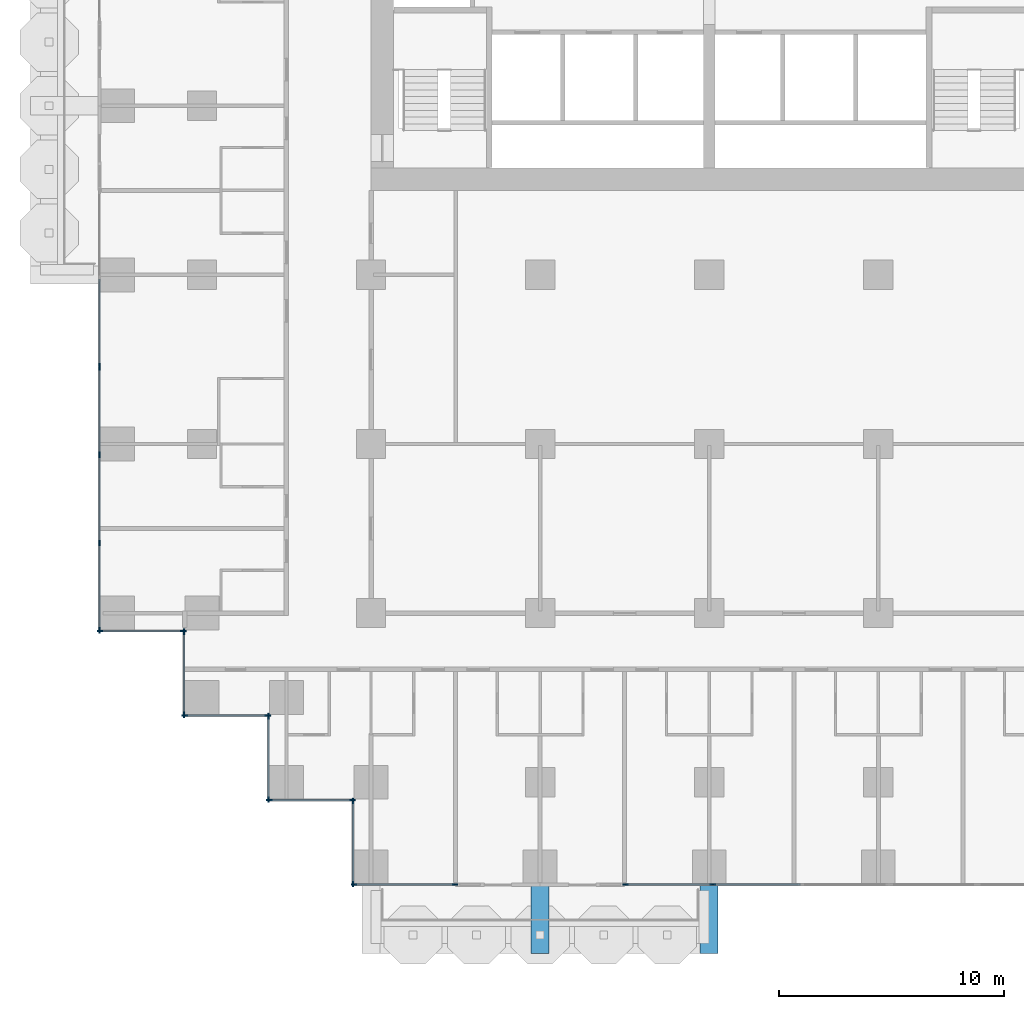
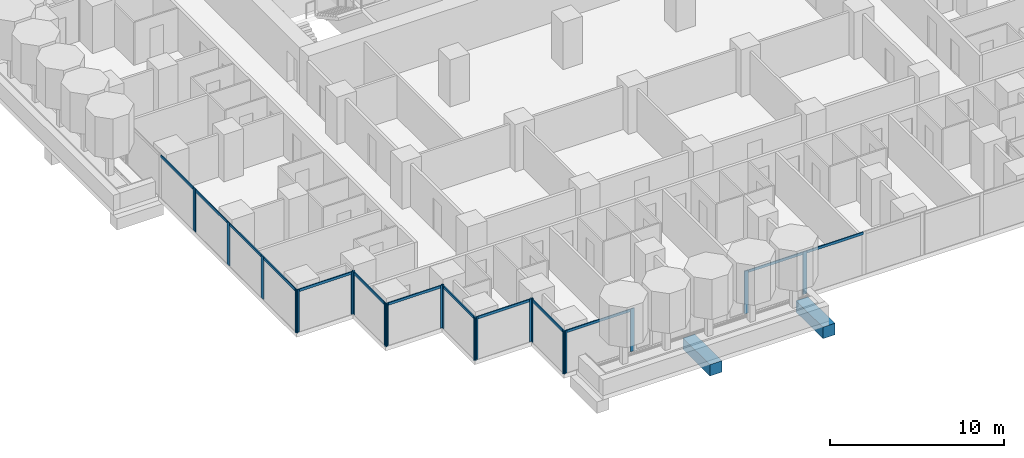
# One storey, part 2 of 19: 34 members, 2 beams, 10 elements without a shape of their own.
"""IFC4 building model written with IfcOpenShell, lengths in metres."""

from ifc_helpers import new_model, si_unit, direction, frame, origin, origin_2d, place, context, subcontext, project, spatial, rectangle, extrude, material, material_profile, profile_set, type_object, element, aggregate, save


model = new_model("IFC4")

# Units and contexts
model_context = context("Model", 3, precision=1e-05, world=origin(), true_north=direction((0.0, 1.0)))
body_context = subcontext(model_context, "Body", "Model", "MODEL_VIEW")
ifc_project = project(units=[si_unit("LENGTHUNIT", "METRE"), si_unit("AREAUNIT", "SQUARE_METRE"), si_unit("VOLUMEUNIT", "CUBIC_METRE"), si_unit("PLANEANGLEUNIT", "RADIAN"), si_unit("MASSUNIT", "GRAM", prefix="KILO")], contexts=[model_context])

# Site, building, storey
site_placement = place(None, origin())
site = spatial("IfcSite", under=ifc_project, at=site_placement, CompositionType="ELEMENT")
building_placement = place(site_placement, origin())
building = spatial("IfcBuilding", under=site, at=building_placement, Name="Pilkhan Gate Tower", CompositionType="ELEMENT")
storey_placement = place(building_placement, frame((0.0, 0.0, 89.0)))
storey = spatial("IfcBuildingStorey", under=building, at=storey_placement, Name="L21", CompositionType="ELEMENT", Elevation=89.0)

# Beams
ifc_material_1 = material(Name="Concrete C50/60", Category="concrete")
ifc_material_profile_1 = material_profile(ifc_material_1, rectangle(XDim=0.800048828125, YDim=0.800048828125, at=origin_2d()), Name="RC 800x800")
ifc_profile_set_1 = profile_set([ifc_material_profile_1], Name="Concrete C50/60")
beam_type = type_object("IfcBeamType", Name="Cantilever beam CB2 RC 800x800 C50/60", PredefinedType="BEAM", material=ifc_profile_set_1)
for number, where, z_axis, x_axis, name in (
    (1, (67.5, 40.5, -0.699951171875), (0.0, -1.0, 0.0), (1.0, 0.0, 0.0), "Balcony beam S.2 L21"),
    (2, (75.0, 40.5, -0.699951171875), (0.0, -1.0, 0.0), (1.0, 0.0, 0.0), "Balcony beam S.3 L21"),
):
    element("IfcBeam", number, at=place(storey_placement, frame(where, z_axis=z_axis, x_axis=x_axis)), inside=storey, type_object=beam_type, Name=name, PredefinedType="BEAM", context=body_context, shape_type="SweptSolid", body=[
        extrude(rectangle(XDim=0.800048828125, YDim=0.800048828125, at=origin_2d()), origin(), (0.0, 0.0, 1.0), 3.10009765625),
    ])

# Curtain wall, members
ifc_material_2 = material(Name="Pale anodised aluminium, clear low-iron double glazing", Category="aluminium")
curtain_wall_type = type_object("IfcCurtainWallType", Name="Hotel unitised curtain wall CW-H", PredefinedType="USERDEFINED", material=ifc_material_2)
curtain_wall_1_placement = place(storey_placement, origin())
curtain_wall_1 = element("IfcCurtainWall", 3, at=curtain_wall_1_placement, inside=storey, type_object=curtain_wall_type, Name="Hotel unitised curtain wall CW-H L21 W", ObjectType="UNITISED CURTAIN WALL", PredefinedType="USERDEFINED")
ifc_material_3 = material(Name="Pale anodised aluminium", Category="aluminium")
ifc_material_profile_2 = material_profile(ifc_material_3, rectangle(XDim=0.06494140625, YDim=0.25, at=origin_2d()), Name="Mullion 250x65")
ifc_profile_set_2 = profile_set([ifc_material_profile_2], Name="Pale anodised aluminium")
member_type_1 = type_object("IfcMemberType", Name="Mullion CW-H 250x65", PredefinedType="MULLION", material=ifc_profile_set_2)
member_1_placement = place(storey_placement, frame((47.955078125, 51.737548828125, 0.0), z_axis=(0.0, 0.0, 1.0), x_axis=(-1.0, 0.0, 0.0)))
member_1 = element("IfcMember", 4, at=member_1_placement, type_object=member_type_1, Name="CW-H mullion 1", PredefinedType="MULLION", context=body_context, shape_type="SweptSolid", body=[
    extrude(rectangle(XDim=0.06494140625, YDim=0.25, at=origin_2d()), origin(), (0.0, 0.0, 1.0), 3.0),
])
member_2_placement = place(storey_placement, frame((47.955078125, 55.614013671875, 0.0), z_axis=(0.0, 0.0, 1.0), x_axis=(-1.0, 0.0, 0.0)))
member_2 = element("IfcMember", 5, at=member_2_placement, type_object=member_type_1, Name="CW-H mullion 2", PredefinedType="MULLION", context=body_context, shape_type="SweptSolid", body=[
    extrude(rectangle(XDim=0.06494140625, YDim=0.25, at=origin_2d()), origin(), (0.0, 0.0, 1.0), 3.0),
])
member_3_placement = place(storey_placement, frame((47.955078125, 59.52294921875, 0.0), z_axis=(0.0, 0.0, 1.0), x_axis=(-1.0, 0.0, 0.0)))
member_3 = element("IfcMember", 6, at=member_3_placement, type_object=member_type_1, Name="CW-H mullion 3", PredefinedType="MULLION", context=body_context, shape_type="SweptSolid", body=[
    extrude(rectangle(XDim=0.06494140625, YDim=0.25, at=origin_2d()), origin(), (0.0, 0.0, 1.0), 3.0),
])
member_4_placement = place(storey_placement, frame((47.955078125, 63.3994140625, 0.0), z_axis=(0.0, 0.0, 1.0), x_axis=(-1.0, 0.0, 0.0)))
member_4 = element("IfcMember", 7, at=member_4_placement, type_object=member_type_1, Name="CW-H mullion 4", PredefinedType="MULLION", context=body_context, shape_type="SweptSolid", body=[
    extrude(rectangle(XDim=0.06494140625, YDim=0.25, at=origin_2d()), origin(), (0.0, 0.0, 1.0), 3.0),
])

# Curtain wall, member
curtain_wall_2_placement = place(storey_placement, origin())
curtain_wall_2 = element("IfcCurtainWall", 8, at=curtain_wall_2_placement, inside=storey, type_object=curtain_wall_type, Name="Hotel unitised curtain wall CW-H L21 W", ObjectType="UNITISED CURTAIN WALL", PredefinedType="USERDEFINED")
member_5_placement = place(storey_placement, frame((47.955078125, 63.464599609375, 0.0), z_axis=(0.0, 0.0, 1.0), x_axis=(-1.0, 0.0, 0.0)))
member_5 = element("IfcMember", 9, at=member_5_placement, type_object=member_type_1, Name="CW-H mullion 1", PredefinedType="MULLION", context=body_context, shape_type="SweptSolid", body=[
    extrude(rectangle(XDim=0.06494140625, YDim=0.25, at=origin_2d()), origin(), (0.0, 0.0, 1.0), 3.0),
])

# Curtain wall, members
curtain_wall_3_placement = place(storey_placement, origin())
curtain_wall_3 = element("IfcCurtainWall", 10, at=curtain_wall_3_placement, inside=storey, type_object=curtain_wall_type, Name="Hotel unitised curtain wall CW-H L21 S", ObjectType="UNITISED CURTAIN WALL", PredefinedType="USERDEFINED")
member_6_placement = place(storey_placement, frame((47.987548828125, 51.705078125, 0.0), z_axis=(0.0, 0.0, 1.0), x_axis=(0.0, 1.0, 0.0)))
member_6 = element("IfcMember", 11, at=member_6_placement, type_object=member_type_1, Name="CW-H mullion 1", PredefinedType="MULLION", context=body_context, shape_type="SweptSolid", body=[
    extrude(rectangle(XDim=0.06494140625, YDim=0.25, at=origin_2d()), origin(), (0.0, 0.0, 1.0), 3.0),
])
member_7_placement = place(storey_placement, frame((51.672607421875, 51.705078125, 0.0), z_axis=(0.0, 0.0, 1.0), x_axis=(0.0, 1.0, 0.0)))
member_7 = element("IfcMember", 12, at=member_7_placement, type_object=member_type_1, Name="CW-H mullion 2", PredefinedType="MULLION", context=body_context, shape_type="SweptSolid", body=[
    extrude(rectangle(XDim=0.06494140625, YDim=0.25, at=origin_2d()), origin(), (0.0, 0.0, 1.0), 3.0),
])

curtain_wall_4_placement = place(storey_placement, origin())
curtain_wall_4 = element("IfcCurtainWall", 13, at=curtain_wall_4_placement, inside=storey, type_object=curtain_wall_type, Name="Hotel unitised curtain wall CW-H L21 W", ObjectType="UNITISED CURTAIN WALL", PredefinedType="USERDEFINED")
member_8_placement = place(storey_placement, frame((51.705078125, 47.987548828125, 0.0), z_axis=(0.0, 0.0, 1.0), x_axis=(-1.0, 0.0, 0.0)))
member_8 = element("IfcMember", 14, at=member_8_placement, type_object=member_type_1, Name="CW-H mullion 1", PredefinedType="MULLION", context=body_context, shape_type="SweptSolid", body=[
    extrude(rectangle(XDim=0.06494140625, YDim=0.25, at=origin_2d()), origin(), (0.0, 0.0, 1.0), 3.0),
])
member_9_placement = place(storey_placement, frame((51.705078125, 51.672607421875, 0.0), z_axis=(0.0, 0.0, 1.0), x_axis=(-1.0, 0.0, 0.0)))
member_9 = element("IfcMember", 15, at=member_9_placement, type_object=member_type_1, Name="CW-H mullion 2", PredefinedType="MULLION", context=body_context, shape_type="SweptSolid", body=[
    extrude(rectangle(XDim=0.06494140625, YDim=0.25, at=origin_2d()), origin(), (0.0, 0.0, 1.0), 3.0),
])

curtain_wall_5_placement = place(storey_placement, origin())
curtain_wall_5 = element("IfcCurtainWall", 16, at=curtain_wall_5_placement, inside=storey, type_object=curtain_wall_type, Name="Hotel unitised curtain wall CW-H L21 S", ObjectType="UNITISED CURTAIN WALL", PredefinedType="USERDEFINED")
member_10_placement = place(storey_placement, frame((51.737548828125, 47.955078125, 0.0), z_axis=(0.0, 0.0, 1.0), x_axis=(0.0, 1.0, 0.0)))
member_10 = element("IfcMember", 17, at=member_10_placement, type_object=member_type_1, Name="CW-H mullion 1", PredefinedType="MULLION", context=body_context, shape_type="SweptSolid", body=[
    extrude(rectangle(XDim=0.06494140625, YDim=0.25, at=origin_2d()), origin(), (0.0, 0.0, 1.0), 3.0),
])
member_11_placement = place(storey_placement, frame((55.422607421875, 47.955078125, 0.0), z_axis=(0.0, 0.0, 1.0), x_axis=(0.0, 1.0, 0.0)))
member_11 = element("IfcMember", 18, at=member_11_placement, type_object=member_type_1, Name="CW-H mullion 2", PredefinedType="MULLION", context=body_context, shape_type="SweptSolid", body=[
    extrude(rectangle(XDim=0.06494140625, YDim=0.25, at=origin_2d()), origin(), (0.0, 0.0, 1.0), 3.0),
])

curtain_wall_6_placement = place(storey_placement, origin())
curtain_wall_6 = element("IfcCurtainWall", 19, at=curtain_wall_6_placement, inside=storey, type_object=curtain_wall_type, Name="Hotel unitised curtain wall CW-H L21 W", ObjectType="UNITISED CURTAIN WALL", PredefinedType="USERDEFINED")
member_12_placement = place(storey_placement, frame((55.455078125, 44.237548828125, 0.0), z_axis=(0.0, 0.0, 1.0), x_axis=(-1.0, 0.0, 0.0)))
member_12 = element("IfcMember", 20, at=member_12_placement, type_object=member_type_1, Name="CW-H mullion 1", PredefinedType="MULLION", context=body_context, shape_type="SweptSolid", body=[
    extrude(rectangle(XDim=0.06494140625, YDim=0.25, at=origin_2d()), origin(), (0.0, 0.0, 1.0), 3.0),
])
member_13_placement = place(storey_placement, frame((55.455078125, 47.922607421875, 0.0), z_axis=(0.0, 0.0, 1.0), x_axis=(-1.0, 0.0, 0.0)))
member_13 = element("IfcMember", 21, at=member_13_placement, type_object=member_type_1, Name="CW-H mullion 2", PredefinedType="MULLION", context=body_context, shape_type="SweptSolid", body=[
    extrude(rectangle(XDim=0.06494140625, YDim=0.25, at=origin_2d()), origin(), (0.0, 0.0, 1.0), 3.0),
])

curtain_wall_7_placement = place(storey_placement, origin())
curtain_wall_7 = element("IfcCurtainWall", 22, at=curtain_wall_7_placement, inside=storey, type_object=curtain_wall_type, Name="Hotel unitised curtain wall CW-H L21 S", ObjectType="UNITISED CURTAIN WALL", PredefinedType="USERDEFINED")
member_14_placement = place(storey_placement, frame((55.487548828125, 44.205078125, 0.0), z_axis=(0.0, 0.0, 1.0), x_axis=(0.0, 1.0, 0.0)))
member_14 = element("IfcMember", 23, at=member_14_placement, type_object=member_type_1, Name="CW-H mullion 1", PredefinedType="MULLION", context=body_context, shape_type="SweptSolid", body=[
    extrude(rectangle(XDim=0.06494140625, YDim=0.25, at=origin_2d()), origin(), (0.0, 0.0, 1.0), 3.0),
])
member_15_placement = place(storey_placement, frame((59.172607421875, 44.205078125, 0.0), z_axis=(0.0, 0.0, 1.0), x_axis=(0.0, 1.0, 0.0)))
member_15 = element("IfcMember", 24, at=member_15_placement, type_object=member_type_1, Name="CW-H mullion 2", PredefinedType="MULLION", context=body_context, shape_type="SweptSolid", body=[
    extrude(rectangle(XDim=0.06494140625, YDim=0.25, at=origin_2d()), origin(), (0.0, 0.0, 1.0), 3.0),
])

curtain_wall_8_placement = place(storey_placement, origin())
curtain_wall_8 = element("IfcCurtainWall", 25, at=curtain_wall_8_placement, inside=storey, type_object=curtain_wall_type, Name="Hotel unitised curtain wall CW-H L21 W", ObjectType="UNITISED CURTAIN WALL", PredefinedType="USERDEFINED")
member_16_placement = place(storey_placement, frame((59.205078125, 40.487548828125, 0.0), z_axis=(0.0, 0.0, 1.0), x_axis=(-1.0, 0.0, 0.0)))
member_16 = element("IfcMember", 26, at=member_16_placement, type_object=member_type_1, Name="CW-H mullion 1", PredefinedType="MULLION", context=body_context, shape_type="SweptSolid", body=[
    extrude(rectangle(XDim=0.06494140625, YDim=0.25, at=origin_2d()), origin(), (0.0, 0.0, 1.0), 3.0),
])
member_17_placement = place(storey_placement, frame((59.205078125, 44.172607421875, 0.0), z_axis=(0.0, 0.0, 1.0), x_axis=(-1.0, 0.0, 0.0)))
member_17 = element("IfcMember", 27, at=member_17_placement, type_object=member_type_1, Name="CW-H mullion 2", PredefinedType="MULLION", context=body_context, shape_type="SweptSolid", body=[
    extrude(rectangle(XDim=0.06494140625, YDim=0.25, at=origin_2d()), origin(), (0.0, 0.0, 1.0), 3.0),
])

curtain_wall_9_placement = place(storey_placement, origin())
curtain_wall_9 = element("IfcCurtainWall", 28, at=curtain_wall_9_placement, inside=storey, type_object=curtain_wall_type, Name="Hotel unitised curtain wall CW-H L21 S", ObjectType="UNITISED CURTAIN WALL", PredefinedType="USERDEFINED")
member_18_placement = place(storey_placement, frame((59.237548828125, 40.455078125, 0.0), z_axis=(0.0, 0.0, 1.0), x_axis=(0.0, 1.0, 0.0)))
member_18 = element("IfcMember", 29, at=member_18_placement, type_object=member_type_1, Name="CW-H mullion 1", PredefinedType="MULLION", context=body_context, shape_type="SweptSolid", body=[
    extrude(rectangle(XDim=0.06494140625, YDim=0.25, at=origin_2d()), origin(), (0.0, 0.0, 1.0), 3.0),
])
member_19_placement = place(storey_placement, frame((63.717529296875, 40.455078125, 0.0), z_axis=(0.0, 0.0, 1.0), x_axis=(0.0, 1.0, 0.0)))
member_19 = element("IfcMember", 30, at=member_19_placement, type_object=member_type_1, Name="CW-H mullion 2", PredefinedType="MULLION", context=body_context, shape_type="SweptSolid", body=[
    extrude(rectangle(XDim=0.06494140625, YDim=0.25, at=origin_2d()), origin(), (0.0, 0.0, 1.0), 3.0),
])

curtain_wall_10_placement = place(storey_placement, origin())
curtain_wall_10 = element("IfcCurtainWall", 31, at=curtain_wall_10_placement, inside=storey, type_object=curtain_wall_type, Name="Hotel unitised curtain wall CW-H L21 S", ObjectType="UNITISED CURTAIN WALL", PredefinedType="USERDEFINED")
member_20_placement = place(storey_placement, frame((71.282470703125, 40.455078125, 0.0), z_axis=(0.0, 0.0, 1.0), x_axis=(0.0, 1.0, 0.0)))
member_20 = element("IfcMember", 32, at=member_20_placement, type_object=member_type_1, Name="CW-H mullion 1", PredefinedType="MULLION", context=body_context, shape_type="SweptSolid", body=[
    extrude(rectangle(XDim=0.06494140625, YDim=0.25, at=origin_2d()), origin(), (0.0, 0.0, 1.0), 3.0),
])
member_21_placement = place(storey_placement, frame((75.158935546875, 40.455078125, 0.0), z_axis=(0.0, 0.0, 1.0), x_axis=(0.0, 1.0, 0.0)))
member_21 = element("IfcMember", 33, at=member_21_placement, type_object=member_type_1, Name="CW-H mullion 2", PredefinedType="MULLION", context=body_context, shape_type="SweptSolid", body=[
    extrude(rectangle(XDim=0.06494140625, YDim=0.25, at=origin_2d()), origin(), (0.0, 0.0, 1.0), 3.0),
])

# Member
ifc_material_profile_3 = material_profile(ifc_material_3, rectangle(XDim=0.06494140625, YDim=0.179931640625, at=origin_2d()), Name="Transom 180x65")
ifc_profile_set_3 = profile_set([ifc_material_profile_3], Name="Pale anodised aluminium")
member_type_2 = type_object("IfcMemberType", Name="Transom CW-H 180x65", PredefinedType="USERDEFINED", material=ifc_profile_set_3)
member_22_placement = place(storey_placement, frame((47.955078125, 51.77001953125, 2.909912109375), z_axis=(0.0, 1.0, 0.0), x_axis=(-1.0, 0.0, 0.0)))
member_22 = element("IfcMember", 34, at=member_22_placement, type_object=member_type_2, Name="CW-H transom 1", ObjectType="TRANSOM", PredefinedType="USERDEFINED", context=body_context, shape_type="SweptSolid", body=[
    extrude(rectangle(XDim=0.06494140625, YDim=0.179931640625, at=origin_2d()), origin(), (0.0, 0.0, 1.0), 3.8115234375),
])

member_23_placement = place(storey_placement, frame((47.955078125, 55.646484375, 2.909912109375), z_axis=(0.0, 1.0, 0.0), x_axis=(-1.0, 0.0, 0.0)))
member_23 = element("IfcMember", 35, at=member_23_placement, type_object=member_type_2, Name="CW-H transom 2", ObjectType="TRANSOM", PredefinedType="USERDEFINED", context=body_context, shape_type="SweptSolid", body=[
    extrude(rectangle(XDim=0.06494140625, YDim=0.179931640625, at=origin_2d()), origin(), (0.0, 0.0, 1.0), 3.843994140625),
])

member_24_placement = place(storey_placement, frame((47.955078125, 59.555419921875, 2.909912109375), z_axis=(0.0, 1.0, 0.0), x_axis=(-1.0, 0.0, 0.0)))
member_24 = element("IfcMember", 36, at=member_24_placement, type_object=member_type_2, Name="CW-H transom 3", ObjectType="TRANSOM", PredefinedType="USERDEFINED", context=body_context, shape_type="SweptSolid", body=[
    extrude(rectangle(XDim=0.06494140625, YDim=0.179931640625, at=origin_2d()), origin(), (0.0, 0.0, 1.0), 3.8115234375),
])

aggregate(curtain_wall_1, [member_1, member_2, member_3, member_4, member_22, member_23, member_24])

member_25_placement = place(storey_placement, frame((47.955078125, 63.4970703125, 2.909912109375), z_axis=(0.0, 1.0, 0.0), x_axis=(-1.0, 0.0, 0.0)))
member_25 = element("IfcMember", 37, at=member_25_placement, type_object=member_type_2, Name="CW-H transom 1", ObjectType="TRANSOM", PredefinedType="USERDEFINED", context=body_context, shape_type="SweptSolid", body=[
    extrude(rectangle(XDim=0.06494140625, YDim=0.179931640625, at=origin_2d()), origin(), (0.0, 0.0, 1.0), 3.8115234375),
])

aggregate(curtain_wall_2, [member_5, member_25])

member_26_placement = place(storey_placement, frame((48.02001953125, 51.705078125, 2.909912109375), z_axis=(1.0, 0.0, 0.0), x_axis=(0.0, 1.0, 0.0)))
member_26 = element("IfcMember", 38, at=member_26_placement, type_object=member_type_2, Name="CW-H transom 1", ObjectType="TRANSOM", PredefinedType="USERDEFINED", context=body_context, shape_type="SweptSolid", body=[
    extrude(rectangle(XDim=0.06494140625, YDim=0.179931640625, at=origin_2d()), origin(), (0.0, 0.0, 1.0), 3.619873046875),
])

aggregate(curtain_wall_3, [member_6, member_7, member_26])

member_27_placement = place(storey_placement, frame((51.705078125, 48.02001953125, 2.909912109375), z_axis=(0.0, 1.0, 0.0), x_axis=(-1.0, 0.0, 0.0)))
member_27 = element("IfcMember", 39, at=member_27_placement, type_object=member_type_2, Name="CW-H transom 1", ObjectType="TRANSOM", PredefinedType="USERDEFINED", context=body_context, shape_type="SweptSolid", body=[
    extrude(rectangle(XDim=0.06494140625, YDim=0.179931640625, at=origin_2d()), origin(), (0.0, 0.0, 1.0), 3.619873046875),
])

aggregate(curtain_wall_4, [member_8, member_9, member_27])

member_28_placement = place(storey_placement, frame((51.77001953125, 47.955078125, 2.909912109375), z_axis=(1.0, 0.0, 0.0), x_axis=(0.0, 1.0, 0.0)))
member_28 = element("IfcMember", 40, at=member_28_placement, type_object=member_type_2, Name="CW-H transom 1", ObjectType="TRANSOM", PredefinedType="USERDEFINED", context=body_context, shape_type="SweptSolid", body=[
    extrude(rectangle(XDim=0.06494140625, YDim=0.179931640625, at=origin_2d()), origin(), (0.0, 0.0, 1.0), 3.619873046875),
])

aggregate(curtain_wall_5, [member_10, member_11, member_28])

member_29_placement = place(storey_placement, frame((55.455078125, 44.27001953125, 2.909912109375), z_axis=(0.0, 1.0, 0.0), x_axis=(-1.0, 0.0, 0.0)))
member_29 = element("IfcMember", 41, at=member_29_placement, type_object=member_type_2, Name="CW-H transom 1", ObjectType="TRANSOM", PredefinedType="USERDEFINED", context=body_context, shape_type="SweptSolid", body=[
    extrude(rectangle(XDim=0.06494140625, YDim=0.179931640625, at=origin_2d()), origin(), (0.0, 0.0, 1.0), 3.619873046875),
])

aggregate(curtain_wall_6, [member_12, member_13, member_29])

member_30_placement = place(storey_placement, frame((55.52001953125, 44.205078125, 2.909912109375), z_axis=(1.0, 0.0, 0.0), x_axis=(0.0, 1.0, 0.0)))
member_30 = element("IfcMember", 42, at=member_30_placement, type_object=member_type_2, Name="CW-H transom 1", ObjectType="TRANSOM", PredefinedType="USERDEFINED", context=body_context, shape_type="SweptSolid", body=[
    extrude(rectangle(XDim=0.06494140625, YDim=0.179931640625, at=origin_2d()), origin(), (0.0, 0.0, 1.0), 3.619873046875),
])

aggregate(curtain_wall_7, [member_14, member_15, member_30])

member_31_placement = place(storey_placement, frame((59.205078125, 40.52001953125, 2.909912109375), z_axis=(0.0, 1.0, 0.0), x_axis=(-1.0, 0.0, 0.0)))
member_31 = element("IfcMember", 43, at=member_31_placement, type_object=member_type_2, Name="CW-H transom 1", ObjectType="TRANSOM", PredefinedType="USERDEFINED", context=body_context, shape_type="SweptSolid", body=[
    extrude(rectangle(XDim=0.06494140625, YDim=0.179931640625, at=origin_2d()), origin(), (0.0, 0.0, 1.0), 3.619873046875),
])

aggregate(curtain_wall_8, [member_16, member_17, member_31])

member_32_placement = place(storey_placement, frame((59.27001953125, 40.455078125, 2.909912109375), z_axis=(1.0, 0.0, 0.0), x_axis=(0.0, 1.0, 0.0)))
member_32 = element("IfcMember", 44, at=member_32_placement, type_object=member_type_2, Name="CW-H transom 1", ObjectType="TRANSOM", PredefinedType="USERDEFINED", context=body_context, shape_type="SweptSolid", body=[
    extrude(rectangle(XDim=0.06494140625, YDim=0.179931640625, at=origin_2d()), origin(), (0.0, 0.0, 1.0), 4.4150390625),
])

aggregate(curtain_wall_9, [member_18, member_19, member_32])

member_33_placement = place(storey_placement, frame((71.31494140625, 40.455078125, 2.909912109375), z_axis=(1.0, 0.0, 0.0), x_axis=(0.0, 1.0, 0.0)))
member_33 = element("IfcMember", 45, at=member_33_placement, type_object=member_type_2, Name="CW-H transom 1", ObjectType="TRANSOM", PredefinedType="USERDEFINED", context=body_context, shape_type="SweptSolid", body=[
    extrude(rectangle(XDim=0.06494140625, YDim=0.179931640625, at=origin_2d()), origin(), (0.0, 0.0, 1.0), 3.8115234375),
])

member_34_placement = place(storey_placement, frame((75.19140625, 40.455078125, 2.909912109375), z_axis=(1.0, 0.0, 0.0), x_axis=(0.0, 1.0, 0.0)))
member_34 = element("IfcMember", 46, at=member_34_placement, type_object=member_type_2, Name="CW-H transom 2", ObjectType="TRANSOM", PredefinedType="USERDEFINED", context=body_context, shape_type="SweptSolid", body=[
    extrude(rectangle(XDim=0.06494140625, YDim=0.179931640625, at=origin_2d()), origin(), (0.0, 0.0, 1.0), 3.843994140625),
])

aggregate(curtain_wall_10, [member_20, member_21, member_33, member_34])

save(model, "model.ifc")
